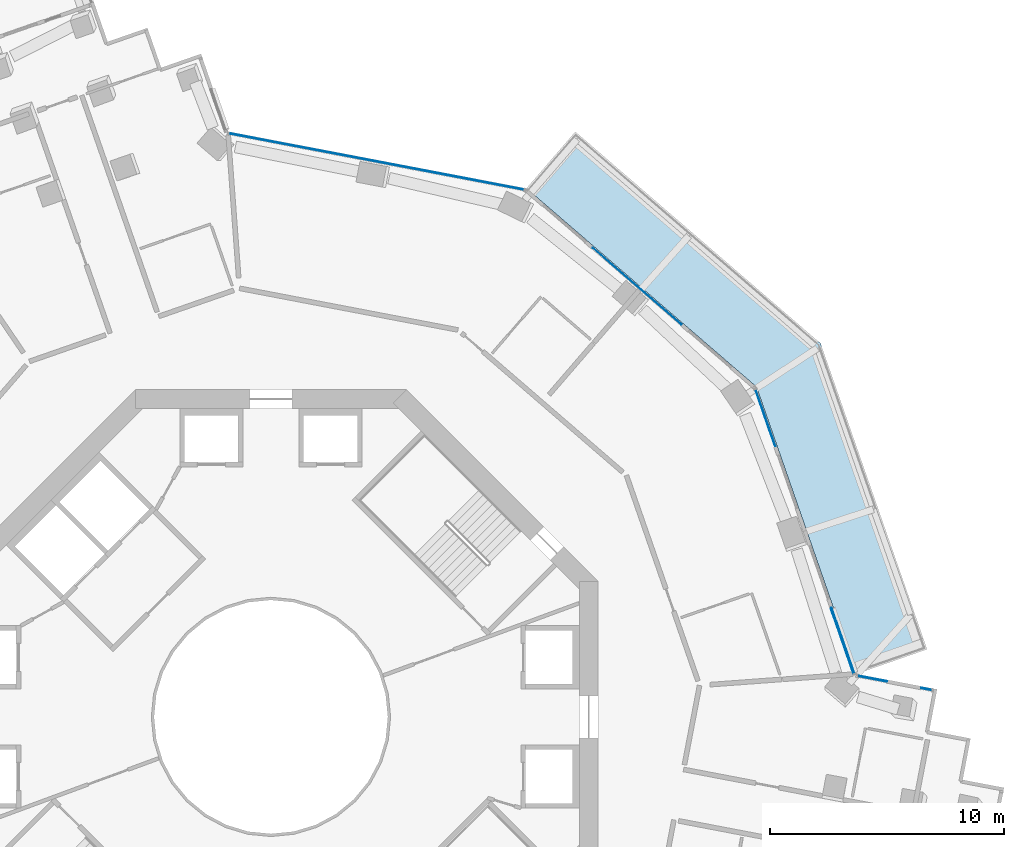
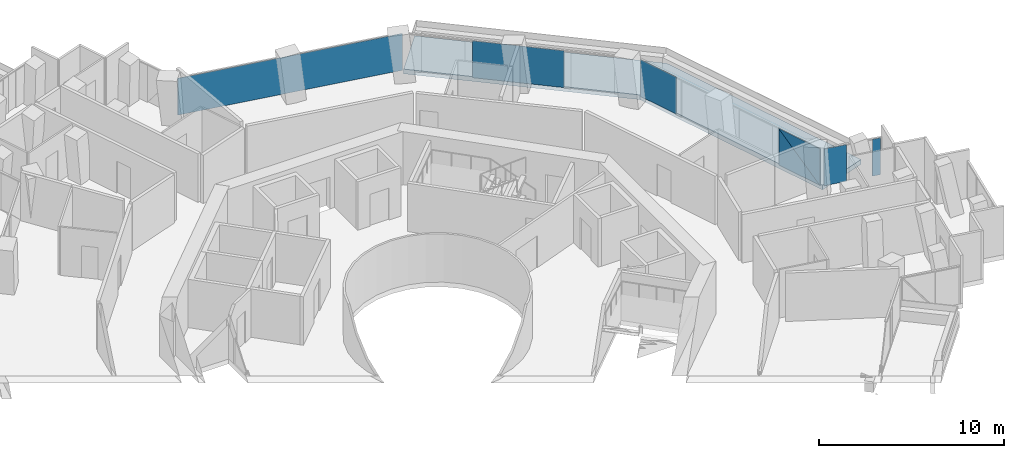
# One storey, part 14 of 23: 7 plates, 1 slab, 4 elements without a shape of their own.
"""IFC4 building model written with IfcOpenShell, lengths in metres."""

from ifc_helpers import new_model, si_unit, direction, frame, origin, origin_2d, place, context, subcontext, project, spatial, polyline, rectangle, outline, extrude, material, layer, layer_set, type_object, element, aggregate, save


model = new_model("IFC4")

# Units and contexts
model_context = context("Model", 3, precision=1e-05, world=origin(), true_north=direction((0.0, 1.0)))
body_context = subcontext(model_context, "Body", "Model", "MODEL_VIEW")
ifc_project = project(units=[si_unit("LENGTHUNIT", "METRE"), si_unit("AREAUNIT", "SQUARE_METRE"), si_unit("VOLUMEUNIT", "CUBIC_METRE"), si_unit("PLANEANGLEUNIT", "RADIAN"), si_unit("MASSUNIT", "GRAM", prefix="KILO")], contexts=[model_context])

# Site, building, storey
site_placement = place(None, origin())
site = spatial("IfcSite", under=ifc_project, at=site_placement, CompositionType="ELEMENT")
building_placement = place(site_placement, origin())
building = spatial("IfcBuilding", under=site, at=building_placement, Name="Verdalira Terraces Hotel", CompositionType="ELEMENT")
storey_placement = place(building_placement, frame((0.0, 0.0, 111.5)))
storey = spatial("IfcBuildingStorey", under=building, at=storey_placement, Name="L26", CompositionType="ELEMENT", Elevation=111.5)

# Slab
ifc_material_1 = material(Name="Precast concrete C40/50", Category="concrete")
ifc_layer_1 = layer(ifc_material_1, 0.31005859375)
ifc_layer_set_1 = layer_set([ifc_layer_1], Name="Balcony deck 310")
slab_type = type_object("IfcSlabType", Name="Balcony deck 310", PredefinedType="FLOOR", material=ifc_layer_set_1)
slab_placement = place(storey_placement, frame((0.0, 0.0, -0.310059)))
element("IfcSlab", 1, at=slab_placement, inside=storey, type_object=slab_type, Name="Balcony deck", PredefinedType="FLOOR", context=body_context, shape_type="SweptSolid", body=[
    extrude(outline(polyline([(13.021484, 25.032959), (10.93042, 22.610596), (20.77124, 14.116211), (25.046631, 1.839355), (28.068604, 2.891602), (23.511475, 15.978271), (13.021484, 25.032959)])), origin(), (0.0, 0.0, 1.0), 0.310059),
])

# Curtain wall, plates
ifc_material_2 = material(Name="Clear glass", Category="glass")
ifc_layer_2 = layer(ifc_material_2, 0.14990234375)
ifc_layer_set_2 = layer_set([ifc_layer_2], Name="CW1 curtain wall")
curtain_wall_type_1 = type_object("IfcCurtainWallType", Name="CW1 curtain wall", PredefinedType="NOTDEFINED", material=ifc_layer_set_2)
curtain_wall_1_placement = place(storey_placement, origin())
curtain_wall_1 = element("IfcCurtainWall", 2, at=curtain_wall_1_placement, inside=storey, type_object=curtain_wall_type_1, Name="CW1 curtain wall L26 edge 39", PredefinedType="NOTDEFINED")
ifc_material_3 = material(Name="Clear glass", Category="glass")
ifc_layer_3 = layer(ifc_material_3, 0.028076171875)
ifc_layer_set_3 = layer_set([ifc_layer_3], Name="CW1 glass unit 28")
plate_type_1 = type_object("IfcPlateType", Name="CW1 glass unit 28", PredefinedType="CURTAIN_PANEL", material=ifc_layer_set_3)
plate_1_placement = place(storey_placement, frame((24.455322, 3.266602, 1.212402), z_axis=(0.94437637, 0.328866647, 0.0), x_axis=(-0.328866647, 0.94437637, 0.0)))
plate_1 = element("IfcPlate", 3, at=plate_1_placement, type_object=plate_type_1, Name="CW1 glass unit", PredefinedType="CURTAIN_PANEL", context=body_context, shape_type="SweptSolid", body=[
    extrude(outline(polyline([(-1.482422, -1.212402), (1.482422, -1.212402), (1.482422, 1.212402), (-1.482422, -1.212402)])), origin(), (0.0, 0.0, 1.0), 0.028076),
])
plate_2_placement = place(storey_placement, frame((24.427734, 3.25708, 1.212402), z_axis=(0.94437637, 0.328866647, 0.0), x_axis=(-0.328866647, 0.94437637, 0.0)))
plate_2 = element("IfcPlate", 4, at=plate_2_placement, type_object=plate_type_1, Name="CW1 glass unit", PredefinedType="CURTAIN_PANEL", context=body_context, shape_type="SweptSolid", body=[
    extrude(outline(polyline([(-1.482422, -1.212402), (1.482422, 1.212402), (-1.482422, 1.212402), (-1.482422, -1.212402)])), origin(), (0.0, 0.0, 1.0), 0.028076),
])
plate_3_placement = place(storey_placement, frame((21.155029, 12.786133, 0.0), z_axis=(0.0, 0.0, 1.0), x_axis=(-0.328866647, 0.94437637, 0.0)))
plate_3 = element("IfcPlate", 5, at=plate_3_placement, type_object=plate_type_1, Name="CW1 glass unit", PredefinedType="CURTAIN_PANEL", context=body_context, shape_type="SweptSolid", body=[
    extrude(rectangle(XDim=2.564209, YDim=0.028076, at=origin_2d()), origin(), (0.0, 0.0, 1.0), 2.425049),
])
aggregate(curtain_wall_1, [plate_1, plate_2, plate_3])

# Curtain wall, plate
curtain_wall_2_placement = place(storey_placement, origin())
curtain_wall_2 = element("IfcCurtainWall", 6, at=curtain_wall_2_placement, inside=storey, type_object=curtain_wall_type_1, Name="CW1 curtain wall L26 edge 40", PredefinedType="NOTDEFINED")
plate_4_placement = place(storey_placement, frame((15.666504, 18.423584, 0.0), z_axis=(0.0, 0.0, 1.0), x_axis=(-0.756995056, 0.653420604, 0.0)))
plate_4 = element("IfcPlate", 7, at=plate_4_placement, type_object=plate_type_1, Name="CW1 glass unit", PredefinedType="CURTAIN_PANEL", context=body_context, shape_type="SweptSolid", body=[
    extrude(rectangle(XDim=5.021729, YDim=0.028076, at=origin_2d()), origin(), (0.0, 0.0, 1.0), 2.425049),
])
aggregate(curtain_wall_2, [plate_4])

curtain_wall_3_placement = place(storey_placement, origin())
curtain_wall_3 = element("IfcCurtainWall", 8, at=curtain_wall_3_placement, inside=storey, type_object=curtain_wall_type_1, Name="CW1 curtain wall L26 edge 41", PredefinedType="NOTDEFINED")
plate_5_placement = place(storey_placement, frame((4.511719, 23.758789, 0.0), z_axis=(0.0, 0.0, 1.0), x_axis=(-0.982287251, 0.187381315, 0.0)))
plate_5 = element("IfcPlate", 9, at=plate_5_placement, type_object=plate_type_1, Name="CW1 glass unit", PredefinedType="CURTAIN_PANEL", context=body_context, shape_type="SweptSolid", body=[
    extrude(rectangle(XDim=12.839844, YDim=0.028076, at=origin_2d()), origin(), (0.0, 0.0, 1.0), 2.425049),
])
aggregate(curtain_wall_3, [plate_5])

# Curtain wall, plates
ifc_material_4 = material(Name="Clear glass", Category="glass")
ifc_layer_4 = layer(ifc_material_4, 0.14990234375)
ifc_layer_set_4 = layer_set([ifc_layer_4], Name="CW2 curtain wall")
curtain_wall_type_2 = type_object("IfcCurtainWallType", Name="CW2 curtain wall", PredefinedType="NOTDEFINED", material=ifc_layer_set_4)
curtain_wall_4_placement = place(storey_placement, origin())
curtain_wall_4 = element("IfcCurtainWall", 10, at=curtain_wall_4_placement, inside=storey, type_object=curtain_wall_type_2, Name="CW2 curtain wall L26 edge 38", PredefinedType="NOTDEFINED")
ifc_material_5 = material(Name="Clear glass", Category="glass")
ifc_layer_5 = layer(ifc_material_5, 0.031982421875)
ifc_layer_set_5 = layer_set([ifc_layer_5], Name="CW2 glass unit 32")
plate_type_2 = type_object("IfcPlateType", Name="CW2 glass unit 32", PredefinedType="CURTAIN_PANEL", material=ifc_layer_set_5)
plate_6_placement = place(storey_placement, frame((28.04126, 1.19165, 0.0), z_axis=(0.0, 0.0, 1.0), x_axis=(-0.982287251, 0.187381315, 0.0)))
plate_6 = element("IfcPlate", 11, at=plate_6_placement, type_object=plate_type_2, Name="CW2 glass unit", PredefinedType="CURTAIN_PANEL", context=body_context, shape_type="SweptSolid", body=[
    extrude(rectangle(XDim=0.459961, YDim=0.031982, at=origin_2d()), origin(), (0.0, 0.0, 1.0), 2.425049),
])
plate_7_placement = place(storey_placement, frame((25.726562, 1.633301, 0.0), z_axis=(0.0, 0.0, 1.0), x_axis=(-0.982287251, 0.187381315, 0.0)))
plate_7 = element("IfcPlate", 12, at=plate_7_placement, type_object=plate_type_2, Name="CW2 glass unit", PredefinedType="CURTAIN_PANEL", context=body_context, shape_type="SweptSolid", body=[
    extrude(rectangle(XDim=1.272949, YDim=0.031982, at=origin_2d()), origin(), (0.0, 0.0, 1.0), 2.425049),
])
aggregate(curtain_wall_4, [plate_6, plate_7])

save(model, "model.ifc")
